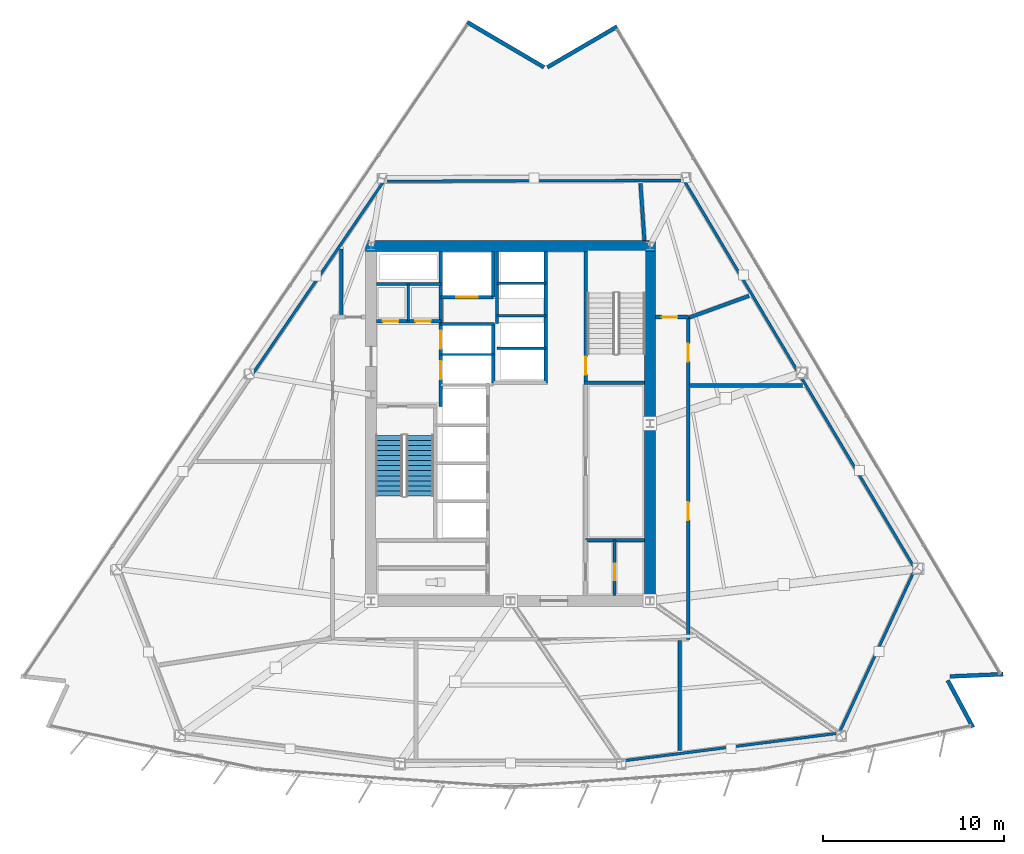
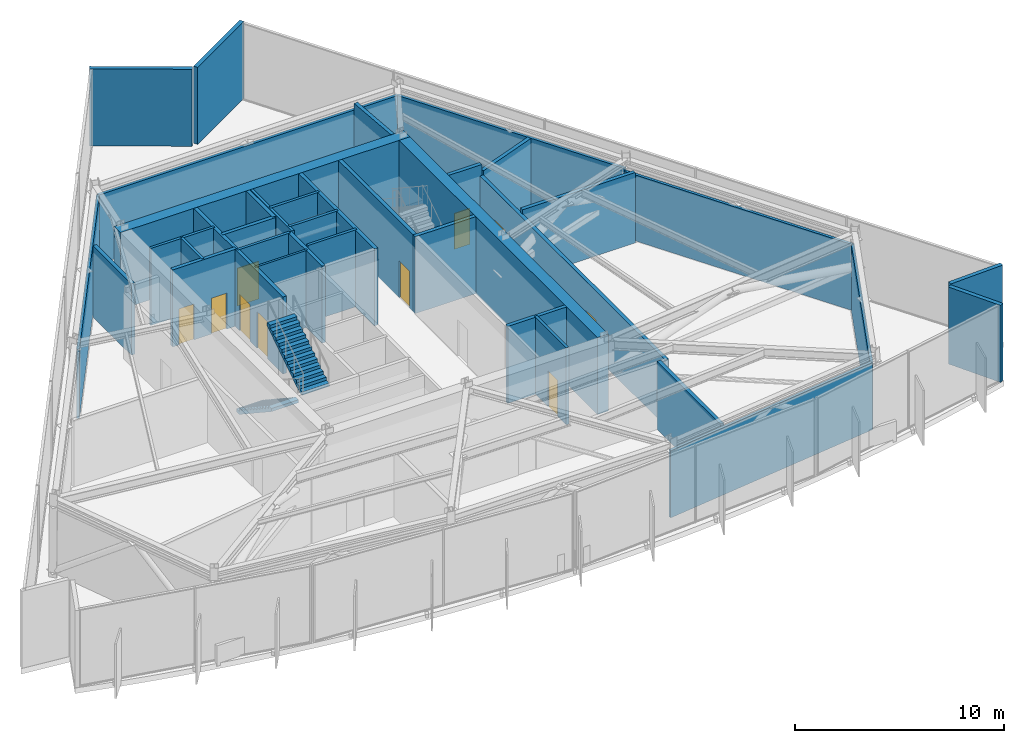
# One storey, part 9 of 14: 37 walls, 10 doors, 2 stair flights, 10 openings, 1 element without a shape of its own.
"""IFC4 building model written with IfcOpenShell, lengths in metres."""

import ifcopenshell
import ifcopenshell.guid

model = None  # the IFC model being written
_history = None  # IfcOwnerHistory: only IFC2X3 demands one
_inside = {}  # id of a spatial element -> (the spatial element, [elements in it])
_under = {}  # id of a project, library or spatial element -> (it, [spatial elements below it])
_declared = {}  # id of a project -> (the project, [libraries it declares])
_typed = {}  # id of a type object -> (the type object, [elements of that type])
_made_of = {}  # id of a material, layer set ... -> (it, [elements and type objects made of it])


def new_model(schema):
    """Start an empty IFC model of exactly this schema.

    Asked for "IFC4X3", IfcOpenShell would pick the latest addendum, in which some entities
    have other attributes; the version numbers below select the first issue.
    IFC2X3 requires an IfcOwnerHistory on every rooted entity: one is made here for all.
    """
    global model, _history
    if schema == "IFC4X3":
        model = ifcopenshell.file(schema_version=(4, 3, 0, 0))
    else:
        model = ifcopenshell.file(schema=schema)
    _inside.clear()
    _under.clear()
    _declared.clear()
    _typed.clear()
    _made_of.clear()
    _history = None
    if model.schema == "IFC2X3":
        org = make("IfcOrganization", Name="unknown")
        user = make(
            "IfcPersonAndOrganization",
            ThePerson=make("IfcPerson", FamilyName="unknown"),
            TheOrganization=org,
        )
        app = make(
            "IfcApplication",
            ApplicationDeveloper=org,
            Version="unknown",
            ApplicationFullName="unknown",
            ApplicationIdentifier="unknown",
        )
        _history = make(
            "IfcOwnerHistory",
            OwningUser=user,
            OwningApplication=app,
            ChangeAction="ADDED",
            CreationDate=0,
        )
    return model


def make(cls, **values):
    """One entity of the class cls with the attributes given. An attribute that is None is left unset."""
    return model.create_entity(
        cls, **{name: value for name, value in values.items() if value is not None}
    )


def rooted(cls, **values):
    """An entity with a GlobalId (a new one), such as an element, a storey or a relation."""
    return make(cls, GlobalId=ifcopenshell.guid.new(), OwnerHistory=_history, **values)


def si_unit(unit_type, name, prefix=None):
    """IfcSIUnit, for example si_unit("LENGTHUNIT", "METRE", prefix="MILLI")."""
    return make("IfcSIUnit", UnitType=unit_type, Prefix=prefix, Name=name)


def assignment(units):
    """IfcUnitAssignment: the units of a project."""
    return None if units is None else make("IfcUnitAssignment", Units=units)


def point(xyz):
    """IfcCartesianPoint."""
    return None if xyz is None else make("IfcCartesianPoint", Coordinates=xyz)


def direction(xyz):
    """IfcDirection."""
    return None if xyz is None else make("IfcDirection", DirectionRatios=xyz)


def frame(location, z_axis=None, x_axis=None):
    """IfcAxis2Placement3D, a coordinate frame: its origin and axes. An axis left out is left unset."""
    return make(
        "IfcAxis2Placement3D",
        Location=point(location),
        Axis=direction(z_axis),
        RefDirection=direction(x_axis),
    )


def frame_2d(location, x_axis=None):
    """IfcAxis2Placement2D, a coordinate frame in the plane: its origin and x axis."""
    return make(
        "IfcAxis2Placement2D", Location=point(location), RefDirection=direction(x_axis)
    )


def origin():
    """The frame at (0, 0, 0) with its axes left unset."""
    return frame((0.0, 0.0, 0.0))


def place(relative_to, where):
    """IfcLocalPlacement: puts the frame where relative to a parent placement (None: the world)."""
    return make(
        "IfcLocalPlacement", PlacementRelTo=relative_to, RelativePlacement=where
    )


def context(
    kind, dimensions, precision=None, world=None, true_north=None, identifier=None
):
    """IfcGeometricRepresentationContext, for example the 3D "Model" context."""
    return make(
        "IfcGeometricRepresentationContext",
        ContextIdentifier=identifier,
        ContextType=kind,
        CoordinateSpaceDimension=dimensions,
        Precision=precision,
        WorldCoordinateSystem=world,
        TrueNorth=true_north,
    )


def subcontext(parent, identifier, kind, view, scale=None):
    """IfcGeometricRepresentationSubContext, for example "Body" below "Model"."""
    return make(
        "IfcGeometricRepresentationSubContext",
        ContextIdentifier=identifier,
        ContextType=kind,
        ParentContext=parent,
        TargetScale=scale,
        TargetView=view,
    )


def project(units=None, contexts=None):
    """IfcProject with its units and contexts."""
    return rooted(
        "IfcProject",
        Name="project",
        RepresentationContexts=contexts,
        UnitsInContext=assignment(units),
    )


def spatial(cls, under=None, at=None, **own):
    """A site, building, storey or space (cls), placed at a placement, below another one or the project."""
    s = rooted(cls, ObjectPlacement=at, **own)
    if under is not None:
        _under.setdefault(under.id(), (under, []))[1].append(s)
    return s


def polyline(points):
    """IfcPolyline through the points."""
    return make("IfcPolyline", Points=[point(p) for p in points])


def profile(cls, at=None, kind="AREA", **sizes):
    """A parametric profile (cls). Its sizes go by their IFC names, for example OverallWidth=200.0."""
    return make(cls, ProfileType=kind, Position=at, **sizes)


def rectangle(**sizes):
    """IfcRectangleProfileDef."""
    return profile("IfcRectangleProfileDef", **sizes)


def outline(outer, holes=None, kind="AREA"):
    """IfcArbitraryClosedProfileDef: a profile drawn as a closed curve; with holes, ...WithVoids."""
    if holes is None:
        return make("IfcArbitraryClosedProfileDef", ProfileType=kind, OuterCurve=outer)
    return make(
        "IfcArbitraryProfileDefWithVoids",
        ProfileType=kind,
        OuterCurve=outer,
        InnerCurves=holes,
    )


def extrude(swept, where, along, depth):
    """IfcExtrudedAreaSolid: the profile swept, set in the frame where, extruded along a direction by depth."""
    return make(
        "IfcExtrudedAreaSolid",
        SweptArea=swept,
        Position=where,
        ExtrudedDirection=direction(along),
        Depth=depth,
    )


def shape(context_of_items, identifier, shape_type, items):
    """IfcShapeRepresentation: the items that make up one representation, for example the "Body"."""
    return make(
        "IfcShapeRepresentation",
        ContextOfItems=context_of_items,
        RepresentationIdentifier=identifier,
        RepresentationType=shape_type,
        Items=items,
    )


def material(Name=None, Category=None):
    """IfcMaterial."""
    return make("IfcMaterial", Name=Name, Category=Category)


def layer(
    of_material, thickness, ventilated=None, Name=None, Category=None, Priority=None
):
    """IfcMaterialLayer: one layer of a wall or slab, of a material (None: an air gap)."""
    return make(
        "IfcMaterialLayer",
        Material=of_material,
        LayerThickness=thickness,
        IsVentilated=ventilated,
        Name=Name,
        Category=Category,
        Priority=Priority,
    )


def layer_set(layers, Name=None):
    """IfcMaterialLayerSet."""
    return make("IfcMaterialLayerSet", MaterialLayers=layers, LayerSetName=Name)


def made_of(thing, what):
    """Note that an element or type object is made of a material, layer set ...; save() writes the relation."""
    if what is not None:
        _made_of.setdefault(what.id(), (what, []))[1].append(thing)
    return thing


def type_object(cls, material=None, **own):
    """A type object (cls), such as IfcWallType, which elements share."""
    return made_of(rooted(cls, **own), material)


def element(
    cls,
    number,
    at=None,
    inside=None,
    cuts=None,
    type_object=None,
    material=None,
    context=None,
    identifier="Body",
    shape_type=None,
    held_by="IfcProductDefinitionShape",
    body=None,
    shapes=None,
    **own,
):
    """One element of the class cls, such as IfcWall. Its Tag is "e" and its number.

    at: its placement. inside: the storey or other place that contains it. cuts: it is an
    opening in that element (IfcRelVoidsElement). A single representation is given by context,
    identifier, shape_type and body (its items); several are given by shapes. held_by: the class
    of the entity that holds the representations. save() writes the other relations.
    """
    e = rooted(cls, Tag="e%d" % number, ObjectPlacement=at, **own)
    if body is not None:
        shapes = [shape(context, identifier, shape_type, body)]
    if shapes is not None:
        e.Representation = make(held_by, Representations=shapes)
    if inside is not None:
        _inside.setdefault(inside.id(), (inside, []))[1].append(e)
    if cuts is not None:
        rooted(
            "IfcRelVoidsElement", RelatingBuildingElement=cuts, RelatedOpeningElement=e
        )
    if type_object is not None:
        _typed.setdefault(type_object.id(), (type_object, []))[1].append(e)
    return made_of(e, material)


def fill(opening, filler):
    """IfcRelFillsElement: the door or window that sits in an opening."""
    return rooted(
        "IfcRelFillsElement",
        RelatingOpeningElement=opening,
        RelatedBuildingElement=filler,
    )


def aggregate(whole, parts):
    """IfcRelAggregates: a whole, such as a stair, and the parts it consists of."""
    return rooted("IfcRelAggregates", RelatingObject=whole, RelatedObjects=parts)


def save(model, path):
    """Write the relations noted so far, then the file.

    IfcRelAggregates (storeys below a building ...), IfcRelContainedInSpatialStructure (elements
    in a storey), IfcRelDefinesByType, IfcRelAssociatesMaterial and IfcRelDeclares: one each for
    every whole, place, type object, material and project.
    """
    for whole, parts in _under.values():
        aggregate(whole, parts)
    for where, things in _inside.values():
        rooted(
            "IfcRelContainedInSpatialStructure",
            RelatedElements=things,
            RelatingStructure=where,
        )
    for kind, things in _typed.values():
        rooted("IfcRelDefinesByType", RelatedObjects=things, RelatingType=kind)
    for what, things in _made_of.values():
        rooted("IfcRelAssociatesMaterial", RelatedObjects=things, RelatingMaterial=what)
    for by, libraries in _declared.values():
        rooted("IfcRelDeclares", RelatingContext=by, RelatedDefinitions=libraries)
    model.write(path)


model = new_model("IFC4")

# Units and contexts
model_context = context("Model", 3, precision=1e-05, world=origin(), true_north=direction((0.0, 1.0)))
body_context = subcontext(model_context, "Body", "Model", "MODEL_VIEW")
ifc_project = project(units=[si_unit("LENGTHUNIT", "METRE"), si_unit("AREAUNIT", "SQUARE_METRE"), si_unit("VOLUMEUNIT", "CUBIC_METRE"), si_unit("PLANEANGLEUNIT", "RADIAN"), si_unit("MASSUNIT", "GRAM", prefix="KILO")], contexts=[model_context])

# Site, building, storey
site_placement = place(None, origin())
site = spatial("IfcSite", under=ifc_project, at=site_placement, CompositionType="ELEMENT")
building_placement = place(site_placement, origin())
building = spatial("IfcBuilding", under=site, at=building_placement, Name="Savorim Split Tower", CompositionType="ELEMENT")
storey_placement = place(building_placement, frame((0.0, 0.0, 129.300048828125)))
storey = spatial("IfcBuildingStorey", under=building, at=storey_placement, Name="L34", CompositionType="ELEMENT", Elevation=129.300048828125)

# Walls
ifc_material_1 = material(Name="Concrete C60/75", Category="concrete")
ifc_layer_1 = layer(ifc_material_1, 0.60009765625)
ifc_layer_set_1 = layer_set([ifc_layer_1], Name="WAL-COR-SH600")
wall_type_1 = type_object("IfcWallType", Name="WAL-COR-SH600", PredefinedType="SHEAR", material=ifc_layer_set_1)
wall_1_placement = place(storey_placement, frame((8.0, 10.199951171875, 0.0), z_axis=(0.0, 0.0, 1.0), x_axis=(-1.0, 0.0, 0.0)))
element("IfcWall", 1, at=wall_1_placement, inside=storey, type_object=wall_type_1, Name="L34 Offset Core North Shear Wall", PredefinedType="SHEAR", context=body_context, shape_type="SweptSolid", body=[
    extrude(rectangle(XDim=16.0, YDim=0.60009765625, at=frame_2d((8.0, 0.0))), origin(), (0.0, 0.0, 1.0), 4.5),
])
wall_2_placement = place(storey_placement, frame((7.699951171875, 9.89990234375, 0.0), z_axis=(0.0, 0.0, 1.0), x_axis=(0.0, -1.0, 0.0)))
element("IfcWall", 2, at=wall_2_placement, inside=storey, type_object=wall_type_1, Name="L34 Offset Core East Shear Wall", PredefinedType="SHEAR", context=body_context, shape_type="SweptSolid", body=[
    extrude(rectangle(XDim=19.0, YDim=0.60009765625, at=frame_2d((9.5, 0.0))), origin(), (0.0, 0.0, 1.0), 4.5),
])
ifc_material_2 = material(Name="Precast concrete C40/50", Category="concrete")
ifc_layer_2 = layer(ifc_material_2, 0.219970703125)
ifc_layer_set_2 = layer_set([ifc_layer_2], Name="WAL-EXT-CRN220")
wall_type_2 = type_object("IfcWallType", Name="WAL-EXT-CRN220", PredefinedType="SOLIDWALL", material=ifc_layer_set_2)
wall_3_placement = place(storey_placement, frame((24.15478515625, -13.789794921875, 0.0), z_axis=(0.0, 0.0, 1.0), x_axis=(0.472795751791, -0.881172047383, 0.0)))
element("IfcWall", 3, at=wall_3_placement, inside=storey, type_object=wall_type_2, Name="L34 Notched Corner Facade Wall SE1", PredefinedType="SOLIDWALL", context=body_context, shape_type="SweptSolid", body=[
    extrude(rectangle(XDim=2.948486328125, YDim=0.219970703125, at=frame_2d((1.47412109375, 0.0))), origin(), (0.0, 0.0, 1.0), 4.5),
])
wall_4_placement = place(storey_placement, frame((27.219482421875, -13.450927734375, 0.0), z_axis=(0.0, 0.0, 1.0), x_axis=(-0.999095615947, -0.042519997593, 0.0)))
element("IfcWall", 4, at=wall_4_placement, inside=storey, type_object=wall_type_2, Name="L34 Notched Corner Facade Wall SE", PredefinedType="SOLIDWALL", context=body_context, shape_type="SweptSolid", body=[
    extrude(rectangle(XDim=2.945556640625, YDim=0.219970703125, at=frame_2d((1.47265625, 0.0))), origin(), (0.0, 0.0, 1.0), 4.5),
])
wall_5_placement = place(storey_placement, frame((2.03857421875, 20.079345703125, 0.0), z_axis=(0.0, 0.0, 1.0), x_axis=(0.86398603623, 0.503515768571, 0.0)))
element("IfcWall", 5, at=wall_5_placement, inside=storey, type_object=wall_type_2, Name="L34 Notched Corner Facade Wall NE1", PredefinedType="SOLIDWALL", context=body_context, shape_type="SweptSolid", body=[
    extrude(rectangle(XDim=4.4443359375, YDim=0.219970703125, at=frame_2d((2.22216796875, 0.0))), origin(), (0.0, 0.0, 1.0), 4.5),
])
wall_6_placement = place(storey_placement, frame((-2.384521484375, 22.5673828125, 0.0), z_axis=(0.0, 0.0, 1.0), x_axis=(0.8621258938, -0.506694131839, 0.0)))
element("IfcWall", 6, at=wall_6_placement, inside=storey, type_object=wall_type_2, Name="L34 Notched Corner Facade Wall N", PredefinedType="SOLIDWALL", context=body_context, shape_type="SweptSolid", body=[
    extrude(rectangle(XDim=4.909912109375, YDim=0.219970703125, at=frame_2d((2.455078125, 0.0))), origin(), (0.0, 0.0, 1.0), 4.5),
])

# Wall, openings, doors
ifc_material_3 = material(Name="Concrete C50/60", Category="concrete")
ifc_layer_3 = layer(ifc_material_3, 0.199951171875)
ifc_layer_set_3 = layer_set([ifc_layer_3], Name="WAL-INT-RC200")
wall_type_3 = type_object("IfcWallType", Name="WAL-INT-RC200", PredefinedType="SOLIDWALL", material=ifc_layer_set_3)
wall_7_placement = place(storey_placement, frame((-3.85009765625, 1.35009765625, 0.0), z_axis=(0.0, 0.0, 1.0), x_axis=(0.0, 1.0, 0.0)))
wall_7 = element("IfcWall", 7, at=wall_7_placement, inside=storey, type_object=wall_type_3, Name="L34 Partition W-L34-CR03", PredefinedType="SOLIDWALL", context=body_context, shape_type="SweptSolid", body=[
    extrude(rectangle(XDim=8.544921875, YDim=0.199951171875, at=frame_2d((4.2724609375, 0.0))), origin(), (0.0, 0.0, 1.0), 4.5),
])
opening_1_placement = place(wall_7_placement, frame((1.5, 0.0, 0.0)))
opening_1 = element("IfcOpeningElement", 8, at=opening_1_placement, cuts=wall_7, Name="Opening LD-FFL", PredefinedType="OPENING", context=body_context, shape_type="SweptSolid", body=[
    extrude(rectangle(XDim=1.0, YDim=2.14990234375, at=frame_2d((0.5, 1.074951171875))), frame((0.0, 0.10986328125, 0.0), z_axis=(0.0, -1.0, 0.0), x_axis=(1.0, 0.0, 0.0)), (0.0, 0.0, 1.0), 0.219970703125),
])
opening_2_placement = place(wall_7_placement, frame((3.179931640625, 0.0, 0.0)))
opening_2 = element("IfcOpeningElement", 9, at=opening_2_placement, cuts=wall_7, Name="Opening LD-FFL", PredefinedType="OPENING", context=body_context, shape_type="SweptSolid", body=[
    extrude(rectangle(XDim=1.0, YDim=2.14990234375, at=frame_2d((0.5, 1.074951171875))), frame((0.0, 0.10986328125, 0.0), z_axis=(0.0, -1.0, 0.0), x_axis=(1.0, 0.0, 0.0)), (0.0, 0.0, 1.0), 0.219970703125),
])
ifc_material_4 = material(Name="Charcoal Anodised Aluminium", Category="aluminium")
door_type_1 = type_object("IfcDoorType", Name="DOR-SLD-LD1000", OperationType="NOTDEFINED", PredefinedType="DOOR", material=ifc_material_4)
door_1_placement = place(opening_1_placement, origin())
door_1 = element("IfcDoor", 10, at=door_1_placement, inside=storey, type_object=door_type_1, Name="DR-L34-LD-FFL1 - L34 Firefighting Lift FFL-1 Sliding Landing Door", OperationType="DOUBLE_DOOR_SLIDING", OverallHeight=2.14990234375, OverallWidth=1.0, PredefinedType="DOOR", context=body_context, shape_type="SweptSolid", body=[
    extrude(rectangle(XDim=1.0, YDim=2.14990234375, at=frame_2d((0.5, 1.074951171875))), frame((0.0, 0.02490234375, 0.0), z_axis=(0.0, -1.0, 0.0), x_axis=(1.0, 0.0, 0.0)), (0.0, 0.0, 1.0), 0.050048828125),
])
fill(opening_1, door_1)
door_2_placement = place(opening_2_placement, origin())
door_2 = element("IfcDoor", 11, at=door_2_placement, inside=storey, type_object=door_type_1, Name="DR-L34-LD-FFL2 - L34 Firefighting Lift FFL-2 Sliding Landing Door", OperationType="DOUBLE_DOOR_SLIDING", OverallHeight=2.14990234375, OverallWidth=1.0, PredefinedType="DOOR", context=body_context, shape_type="SweptSolid", body=[
    extrude(rectangle(XDim=1.0, YDim=2.14990234375, at=frame_2d((0.5, 1.074951171875))), frame((0.0, 0.02490234375, 0.0), z_axis=(0.0, -1.0, 0.0), x_axis=(1.0, 0.0, 0.0)), (0.0, 0.0, 1.0), 0.050048828125),
])
fill(opening_2, door_2)

wall_8_placement = place(storey_placement, frame((-7.39501953125, 6.050048828125, 0.0), z_axis=(0.0, 0.0, 1.0), x_axis=(1.0, 0.0, 0.0)))
wall_8 = element("IfcWall", 12, at=wall_8_placement, inside=storey, type_object=wall_type_3, Name="L34 Partition W-L34-CR04", PredefinedType="SOLIDWALL", context=body_context, shape_type="SweptSolid", body=[
    extrude(rectangle(XDim=3.544921875, YDim=0.199951171875, at=frame_2d((1.7724609375, 0.0))), origin(), (0.0, 0.0, 1.0), 4.5),
])
opening_3_placement = place(wall_8_placement, frame((0.344970703125, 0.0, 0.0)))
opening_3 = element("IfcOpeningElement", 13, at=opening_3_placement, cuts=wall_8, Name="Opening DI-12", PredefinedType="OPENING", context=body_context, shape_type="SweptSolid", body=[
    extrude(rectangle(XDim=0.85009765625, YDim=2.10009765625, at=frame_2d((0.425048828125, 1.050048828125))), frame((0.0, 0.10986328125, 0.0), z_axis=(0.0, -1.0, 0.0), x_axis=(1.0, 0.0, 0.0)), (0.0, 0.0, 1.0), 0.219970703125),
])
opening_4_placement = place(wall_8_placement, frame((2.14501953125, 0.0, 0.0)))
opening_4 = element("IfcOpeningElement", 14, at=opening_4_placement, cuts=wall_8, Name="Opening DI-12", PredefinedType="OPENING", context=body_context, shape_type="SweptSolid", body=[
    extrude(rectangle(XDim=0.85009765625, YDim=2.10009765625, at=frame_2d((0.425048828125, 1.050048828125))), frame((0.0, 0.10986328125, 0.0), z_axis=(0.0, -1.0, 0.0), x_axis=(1.0, 0.0, 0.0)), (0.0, 0.0, 1.0), 0.219970703125),
])
ifc_material_5 = material(Name="Galvanised Painted Steel Balustrade", Category="steel")
door_type_2 = type_object("IfcDoorType", Name="DOR-RIS-850", OperationType="NOTDEFINED", PredefinedType="DOOR", material=ifc_material_5)
door_3_placement = place(opening_3_placement, origin())
door_3 = element("IfcDoor", 15, at=door_3_placement, inside=storey, type_object=door_type_2, Name="DR-L34-ELR - L34 Electrical Riser Access Door", OperationType="SINGLE_SWING_RIGHT", OverallHeight=2.10009765625, OverallWidth=0.85009765625, PredefinedType="DOOR", context=body_context, shape_type="SweptSolid", body=[
    extrude(rectangle(XDim=0.85009765625, YDim=2.10009765625, at=frame_2d((0.425048828125, 1.050048828125))), frame((0.0, 0.02490234375, 0.0), z_axis=(0.0, -1.0, 0.0), x_axis=(1.0, 0.0, 0.0)), (0.0, 0.0, 1.0), 0.050048828125),
])
fill(opening_3, door_3)
door_4_placement = place(opening_4_placement, origin())
door_4 = element("IfcDoor", 16, at=door_4_placement, inside=storey, type_object=door_type_2, Name="DR-L34-TLR - L34 Telecom Riser Access Door", OperationType="SINGLE_SWING_LEFT", OverallHeight=2.10009765625, OverallWidth=0.85009765625, PredefinedType="DOOR", context=body_context, shape_type="SweptSolid", body=[
    extrude(rectangle(XDim=0.85009765625, YDim=2.10009765625, at=frame_2d((0.425048828125, 1.050048828125))), frame((0.0, 0.02490234375, 0.0), z_axis=(0.0, -1.0, 0.0), x_axis=(1.0, 0.0, 0.0)), (0.0, 0.0, 1.0), 0.050048828125),
])
fill(opening_4, door_4)

# Wall, opening, door
wall_9_placement = place(storey_placement, frame((4.14990234375, 2.75, 0.0), z_axis=(0.0, 0.0, 1.0), x_axis=(0.0, 1.0, 0.0)))
wall_9 = element("IfcWall", 17, at=wall_9_placement, inside=storey, type_object=wall_type_3, Name="L34 Structural Shaft Wall W-L34-CR07", PredefinedType="SOLIDWALL", context=body_context, shape_type="SweptSolid", body=[
    extrude(rectangle(XDim=7.14990234375, YDim=0.199951171875, at=frame_2d((3.574951171875, 0.0))), origin(), (0.0, 0.0, 1.0), 4.5),
])
opening_5_placement = place(wall_9_placement, frame((0.35009765625, 0.0, 0.0)))
opening_5 = element("IfcOpeningElement", 18, at=opening_5_placement, cuts=wall_9, Name="Opening DI-04", PredefinedType="OPENING", context=body_context, shape_type="SweptSolid", body=[
    extrude(rectangle(XDim=1.0, YDim=2.14990234375, at=frame_2d((0.5, 1.074951171875))), frame((0.0, 0.10986328125, 0.0), z_axis=(0.0, -1.0, 0.0), x_axis=(1.0, 0.0, 0.0)), (0.0, 0.0, 1.0), 0.219970703125),
])
ifc_material_6 = material(Name="Timber Fire Door Leaf", Category="wood")
door_type_3 = type_object("IfcDoorType", Name="DOR-FIR-1000", OperationType="NOTDEFINED", PredefinedType="DOOR", material=ifc_material_6)
door_5_placement = place(opening_5_placement, origin())
door_5 = element("IfcDoor", 19, at=door_5_placement, inside=storey, type_object=door_type_3, Name="DR-L34-ST2 - L34 Stair ST-2 Enclosure Door", OperationType="SINGLE_SWING_RIGHT", OverallHeight=2.14990234375, OverallWidth=1.0, PredefinedType="DOOR", context=body_context, shape_type="SweptSolid", body=[
    extrude(rectangle(XDim=1.0, YDim=2.14990234375, at=frame_2d((0.5, 1.074951171875))), frame((0.0, 0.02490234375, 0.0), z_axis=(0.0, -1.0, 0.0), x_axis=(1.0, 0.0, 0.0)), (0.0, 0.0, 1.0), 0.050048828125),
])
fill(opening_5, door_5)

# Walls
wall_10_placement = place(storey_placement, frame((4.050048828125, 2.64990234375, 0.0), z_axis=(0.0, 0.0, 1.0), x_axis=(1.0, 0.0, 0.0)))
element("IfcWall", 20, at=wall_10_placement, inside=storey, type_object=wall_type_3, Name="L34 Structural Shaft Wall W-L34-CR08", PredefinedType="SOLIDWALL", context=body_context, shape_type="SweptSolid", body=[
    extrude(rectangle(XDim=3.349853515625, YDim=0.199951171875, at=frame_2d((1.6748046875, 0.0))), origin(), (0.0, 0.0, 1.0), 4.5),
])
wall_11_placement = place(storey_placement, frame((-0.949951171875, 2.64990234375, 0.0), z_axis=(0.0, 0.0, 1.0), x_axis=(0.0, 1.0, 0.0)))
element("IfcWall", 21, at=wall_11_placement, inside=storey, type_object=wall_type_3, Name="L34 Partition W-L34-FFLW", PredefinedType="SOLIDWALL", context=body_context, shape_type="SweptSolid", body=[
    extrude(rectangle(XDim=3.27001953125, YDim=0.199951171875, at=frame_2d((1.635009765625, 0.0))), origin(), (0.0, 0.0, 1.0), 4.5),
])

# Wall, opening, door
wall_12_placement = place(storey_placement, frame((-3.85009765625, 7.3798828125, 0.0), z_axis=(0.0, 0.0, 1.0), x_axis=(1.0, 0.0, 0.0)))
wall_12 = element("IfcWall", 22, at=wall_12_placement, inside=storey, type_object=wall_type_3, Name="L34 Partition W-L34-SVLS", PredefinedType="SOLIDWALL", context=body_context, shape_type="SweptSolid", body=[
    extrude(rectangle(XDim=2.900146484375, YDim=0.199951171875, at=frame_2d((1.4501953125, 0.0))), origin(), (0.0, 0.0, 1.0), 4.5),
])
opening_6_placement = place(wall_12_placement, frame((0.85009765625, 0.0, 0.0)))
opening_6 = element("IfcOpeningElement", 23, at=opening_6_placement, cuts=wall_12, Name="Opening LD-SV", PredefinedType="OPENING", context=body_context, shape_type="SweptSolid", body=[
    extrude(rectangle(XDim=1.199951171875, YDim=2.199951171875, at=frame_2d((0.60009765625, 1.10009765625))), frame((0.0, 0.10986328125, 0.0), z_axis=(0.0, -1.0, 0.0), x_axis=(1.0, 0.0, 0.0)), (0.0, 0.0, 1.0), 0.219970703125),
])
door_type_4 = type_object("IfcDoorType", Name="DOR-SLD-SV1200", OperationType="NOTDEFINED", PredefinedType="DOOR", material=ifc_material_4)
door_6_placement = place(opening_6_placement, origin())
door_6 = element("IfcDoor", 24, at=door_6_placement, inside=storey, type_object=door_type_4, Name="DR-L34-LD-SVL1 - L34 Service Lift SVL-1 Sliding Landing Door", OperationType="DOUBLE_DOOR_SLIDING", OverallHeight=2.199951171875, OverallWidth=1.199951171875, PredefinedType="DOOR", context=body_context, shape_type="SweptSolid", body=[
    extrude(rectangle(XDim=1.199951171875, YDim=2.199951171875, at=frame_2d((0.60009765625, 1.10009765625))), frame((0.0, 0.02490234375, 0.0), z_axis=(0.0, -1.0, 0.0), x_axis=(1.0, 0.0, 0.0)), (0.0, 0.0, 1.0), 0.050048828125),
])
fill(opening_6, door_6)

# Walls
wall_13_placement = place(storey_placement, frame((-0.949951171875, 7.3798828125, 0.0), z_axis=(0.0, 0.0, 1.0), x_axis=(0.0, 1.0, 0.0)))
element("IfcWall", 25, at=wall_13_placement, inside=storey, type_object=wall_type_3, Name="L34 Partition W-L34-SVLE", PredefinedType="SOLIDWALL", context=body_context, shape_type="SweptSolid", body=[
    extrude(rectangle(XDim=2.51513671875, YDim=0.199951171875, at=frame_2d((1.257568359375, 0.0))), origin(), (0.0, 0.0, 1.0), 4.5),
])
wall_14_placement = place(storey_placement, frame((1.949951171875, 2.64990234375, 0.0), z_axis=(0.0, 0.0, 1.0), x_axis=(0.0, 1.0, 0.0)))
element("IfcWall", 26, at=wall_14_placement, inside=storey, type_object=wall_type_3, Name="L34 Partition W-L34-B3FRONT", PredefinedType="SOLIDWALL", context=body_context, shape_type="SweptSolid", body=[
    extrude(rectangle(XDim=7.2451171875, YDim=0.199951171875, at=frame_2d((3.62255859375, 0.0))), origin(), (0.0, 0.0, 1.0), 4.5),
])
wall_15_placement = place(storey_placement, frame((4.14990234375, -6.050048828125, 0.0), z_axis=(0.0, 0.0, 1.0), x_axis=(1.0, 0.0, 0.0)))
element("IfcWall", 27, at=wall_15_placement, inside=storey, type_object=wall_type_3, Name="L34 Partition W-L34-KSEP-E", PredefinedType="SOLIDWALL", context=body_context, shape_type="SweptSolid", body=[
    extrude(rectangle(XDim=3.2451171875, YDim=0.199951171875, at=frame_2d((1.62255859375, 0.0))), origin(), (0.0, 0.0, 1.0), 4.5),
])

# Wall, openings, doors
wall_16_placement = place(storey_placement, frame((9.830078125, -11.530029296875, 0.0), z_axis=(0.0, 0.0, 1.0), x_axis=(0.0, 1.0, 0.0)))
wall_16 = element("IfcWall", 28, at=wall_16_placement, inside=storey, type_object=wall_type_3, Name="L34 Partition W-L34-COR-E1", PredefinedType="SOLIDWALL", context=body_context, shape_type="SweptSolid", body=[
    extrude(rectangle(XDim=17.81005859375, YDim=0.199951171875, at=frame_2d((8.905029296875, 0.0))), origin(), (0.0, 0.0, 1.0), 3.85498046875),
])
opening_7_placement = place(wall_16_placement, frame((6.59130859375, 0.0, 0.0)))
opening_7 = element("IfcOpeningElement", 29, at=opening_7_placement, cuts=wall_16, Name="Opening DI-04", PredefinedType="OPENING", context=body_context, shape_type="SweptSolid", body=[
    extrude(rectangle(XDim=1.0, YDim=2.14990234375, at=frame_2d((0.5, 1.074951171875))), frame((0.0, 0.10986328125, 0.0), z_axis=(0.0, -1.0, 0.0), x_axis=(1.0, 0.0, 0.0)), (0.0, 0.0, 1.0), 0.219970703125),
])
opening_8_placement = place(wall_16_placement, frame((15.343017578125, 0.0, 0.0)))
opening_8 = element("IfcOpeningElement", 30, at=opening_8_placement, cuts=wall_16, Name="Opening DI-04", PredefinedType="OPENING", context=body_context, shape_type="SweptSolid", body=[
    extrude(rectangle(XDim=1.0, YDim=2.14990234375, at=frame_2d((0.5, 1.074951171875))), frame((0.0, 0.10986328125, 0.0), z_axis=(0.0, -1.0, 0.0), x_axis=(1.0, 0.0, 0.0)), (0.0, 0.0, 1.0), 0.219970703125),
])
door_7_placement = place(opening_7_placement, origin())
door_7 = element("IfcDoor", 31, at=door_7_placement, inside=storey, type_object=door_type_3, Name="DR-L34-RM04 - L34 Refuge Area North Entry Door", OperationType="SINGLE_SWING_LEFT", OverallHeight=2.14990234375, OverallWidth=1.0, PredefinedType="DOOR", context=body_context, shape_type="SweptSolid", body=[
    extrude(rectangle(XDim=1.0, YDim=2.14990234375, at=frame_2d((0.5, 1.074951171875))), frame((0.0, 0.02490234375, 0.0), z_axis=(0.0, -1.0, 0.0), x_axis=(1.0, 0.0, 0.0)), (0.0, 0.0, 1.0), 0.050048828125),
])
fill(opening_7, door_7)
door_8_placement = place(opening_8_placement, origin())
door_8 = element("IfcDoor", 32, at=door_8_placement, inside=storey, type_object=door_type_3, Name="DR-L34-RM05 - L34 Refuge Area North-East Entry Door", OperationType="SINGLE_SWING_RIGHT", OverallHeight=2.14990234375, OverallWidth=1.0, PredefinedType="DOOR", context=body_context, shape_type="SweptSolid", body=[
    extrude(rectangle(XDim=1.0, YDim=2.14990234375, at=frame_2d((0.5, 1.074951171875))), frame((0.0, 0.02490234375, 0.0), z_axis=(0.0, -1.0, 0.0), x_axis=(1.0, 0.0, 0.0)), (0.0, 0.0, 1.0), 0.050048828125),
])
fill(opening_8, door_8)

# Wall, opening, door
wall_17_placement = place(storey_placement, frame((8.0, 6.280029296875, 0.0), z_axis=(0.0, 0.0, 1.0), x_axis=(1.0, 0.0, 0.0)))
wall_17 = element("IfcWall", 33, at=wall_17_placement, inside=storey, type_object=wall_type_3, Name="L34 Partition W-L34-COR-EN1", PredefinedType="SOLIDWALL", context=body_context, shape_type="SweptSolid", body=[
    extrude(rectangle(XDim=1.830078125, YDim=0.199951171875, at=frame_2d((0.9150390625, 0.0))), origin(), (0.0, 0.0, 1.0), 4.5),
])
opening_9_placement = place(wall_17_placement, frame((0.364990234375, 0.0, 0.0)))
opening_9 = element("IfcOpeningElement", 34, at=opening_9_placement, cuts=wall_17, Name="Opening DI-12", PredefinedType="OPENING", context=body_context, shape_type="SweptSolid", body=[
    extrude(rectangle(XDim=0.85009765625, YDim=2.10009765625, at=frame_2d((0.425048828125, 1.050048828125))), frame((0.0, 0.10986328125, 0.0), z_axis=(0.0, -1.0, 0.0), x_axis=(1.0, 0.0, 0.0)), (0.0, 0.0, 1.0), 0.219970703125),
])
door_9_placement = place(opening_9_placement, origin())
door_9 = element("IfcDoor", 35, at=door_9_placement, inside=storey, type_object=door_type_2, Name="DR-L34-RM06 - L34 Refuge Area South-West Entry Door", OperationType="SINGLE_SWING_LEFT", OverallHeight=2.10009765625, OverallWidth=0.85009765625, PredefinedType="DOOR", context=body_context, shape_type="SweptSolid", body=[
    extrude(rectangle(XDim=0.85009765625, YDim=2.10009765625, at=frame_2d((0.425048828125, 1.050048828125))), frame((0.0, 0.02490234375, 0.0), z_axis=(0.0, -1.0, 0.0), x_axis=(1.0, 0.0, 0.0)), (0.0, 0.0, 1.0), 0.050048828125),
])
fill(opening_9, door_9)

# Walls
wall_18_placement = place(storey_placement, frame((9.351318359375, -11.590087890625, 0.0), z_axis=(0.0, 0.0, 1.0), x_axis=(0.0, -1.0, 0.0)))
element("IfcWall", 36, at=wall_18_placement, inside=storey, type_object=wall_type_3, Name="L34 Partition W-L34-PLW06", PredefinedType="SOLIDWALL", context=body_context, shape_type="SweptSolid", body=[
    extrude(rectangle(XDim=6.074462890625, YDim=0.199951171875, at=frame_2d((3.037109375, 0.0))), origin(), (0.0, 0.0, 1.0), 3.974853515625),
])
wall_19_placement = place(storey_placement, frame((9.889892578125, 2.4990234375, 0.0), z_axis=(0.0, 0.0, 1.0), x_axis=(1.0, 0.0, 0.0)))
element("IfcWall", 37, at=wall_19_placement, inside=storey, type_object=wall_type_3, Name="L34 Partition W-L34-PLW10", PredefinedType="SOLIDWALL", context=body_context, shape_type="SweptSolid", body=[
    extrude(rectangle(XDim=6.239990234375, YDim=0.199951171875, at=frame_2d((3.1201171875, 0.0))), origin(), (0.0, 0.0, 1.0), 4.114990234375),
])
wall_20_placement = place(storey_placement, frame((9.87890625, 6.25341796875, 0.0), z_axis=(0.0, 0.0, 1.0), x_axis=(0.939939302956, 0.341341627638, 0.0)))
element("IfcWall", 38, at=wall_20_placement, inside=storey, type_object=wall_type_3, Name="L34 Partition W-L34-PLW11", PredefinedType="SOLIDWALL", context=body_context, shape_type="SweptSolid", body=[
    extrude(rectangle(XDim=3.51611328125, YDim=0.199951171875, at=frame_2d((1.758056640625, 0.0))), origin(), (0.0, 0.0, 1.0), 4.114990234375),
])
wall_21_placement = place(storey_placement, frame((7.398681640625, 10.5, 0.0), z_axis=(0.0, 0.0, 1.0), x_axis=(-0.06892407576, 0.99762190823, 0.0)))
element("IfcWall", 39, at=wall_21_placement, inside=storey, type_object=wall_type_3, Name="L34 Partition W-L34-PLW14", PredefinedType="SOLIDWALL", context=body_context, shape_type="SweptSolid", body=[
    extrude(rectangle(XDim=3.15966796875, YDim=0.199951171875, at=frame_2d((1.579833984375, 0.0))), origin(), (0.0, 0.0, 1.0), 4.5),
])
wall_22_placement = place(storey_placement, frame((-9.351318359375, 6.340087890625, 0.0), z_axis=(0.0, 0.0, 1.0), x_axis=(0.0, 1.0, 0.0)))
element("IfcWall", 40, at=wall_22_placement, inside=storey, type_object=wall_type_3, Name="L34 Partition W-L34-PLW15", PredefinedType="SOLIDWALL", context=body_context, shape_type="SweptSolid", body=[
    extrude(rectangle(XDim=3.688720703125, YDim=0.199951171875, at=frame_2d((1.84423828125, 0.0))), origin(), (0.0, 0.0, 1.0), 4.175048828125),
])
ifc_material_7 = material(Name="Acoustic Gypsum Partition Board")
ifc_layer_4 = layer(ifc_material_7, 0.1201171875)
ifc_layer_set_4 = layer_set([ifc_layer_4], Name="WAL-PAR-120")
wall_type_4 = type_object("IfcWallType", Name="WAL-PAR-120", PredefinedType="PARTITIONING", material=ifc_layer_set_4)
wall_23_placement = place(storey_placement, frame((-3.85009765625, 4.219970703125, 0.0), z_axis=(0.0, 0.0, 1.0), x_axis=(1.0, 0.0, 0.0)))
element("IfcWall", 41, at=wall_23_placement, inside=storey, type_object=wall_type_4, Name="L34 Partition W-L34-FFLD1", PredefinedType="PARTITIONING", context=body_context, shape_type="SweptSolid", body=[
    extrude(rectangle(XDim=2.900146484375, YDim=0.1201171875, at=frame_2d((1.4501953125, 0.0))), origin(), (0.0, 0.0, 1.0), 4.5),
])
ifc_layer_5 = layer(ifc_material_7, 0.14990234375)
ifc_layer_set_5 = layer_set([ifc_layer_5], Name="WAL-PAR-150")
wall_type_5 = type_object("IfcWallType", Name="WAL-PAR-150", PredefinedType="PARTITIONING", material=ifc_layer_set_5)
wall_24_placement = place(storey_placement, frame((-7.39501953125, 8.10009765625, 0.0), z_axis=(0.0, 0.0, 1.0), x_axis=(1.0, 0.0, 0.0)))
element("IfcWall", 42, at=wall_24_placement, inside=storey, type_object=wall_type_5, Name="L34 Partition W-L34-CR05", PredefinedType="PARTITIONING", context=body_context, shape_type="SweptSolid", body=[
    extrude(rectangle(XDim=3.544921875, YDim=0.14990234375, at=frame_2d((1.7724609375, 0.0))), origin(), (0.0, 0.0, 1.0), 4.5),
])
wall_25_placement = place(storey_placement, frame((-5.64990234375, 6.050048828125, 0.0), z_axis=(0.0, 0.0, 1.0), x_axis=(0.0, 1.0, 0.0)))
element("IfcWall", 43, at=wall_25_placement, inside=storey, type_object=wall_type_5, Name="L34 Partition W-L34-CR06", PredefinedType="PARTITIONING", context=body_context, shape_type="SweptSolid", body=[
    extrude(rectangle(XDim=2.050048828125, YDim=0.14990234375, at=frame_2d((1.02490234375, 0.0))), origin(), (0.0, 0.0, 1.0), 4.5),
])
wall_26_placement = place(storey_placement, frame((-3.85009765625, 5.89990234375, 0.0), z_axis=(0.0, 0.0, 1.0), x_axis=(1.0, 0.0, 0.0)))
element("IfcWall", 44, at=wall_26_placement, inside=storey, type_object=wall_type_5, Name="L34 Partition W-L34-FFLD2", PredefinedType="PARTITIONING", context=body_context, shape_type="SweptSolid", body=[
    extrude(rectangle(XDim=2.900146484375, YDim=0.14990234375, at=frame_2d((1.4501953125, 0.0))), origin(), (0.0, 0.0, 1.0), 4.5),
])
wall_27_placement = place(storey_placement, frame((-0.75, 5.919921875, 0.0), z_axis=(0.0, 0.0, 1.0), x_axis=(0.0, 1.0, 0.0)))
element("IfcWall", 45, at=wall_27_placement, inside=storey, type_object=wall_type_5, Name="L34 Partition W-L34-B3WEST", PredefinedType="PARTITIONING", context=body_context, shape_type="SweptSolid", body=[
    extrude(rectangle(XDim=3.97509765625, YDim=0.14990234375, at=frame_2d((1.987548828125, 0.0))), origin(), (0.0, 0.0, 1.0), 4.5),
])
for number, where, z_axis, x_axis, name in (
    (46, (-0.75, 4.550048828125, 0.0), (0.0, 0.0, 1.0), (1.0, 0.0, 0.0), "L34 Partition W-L34-B3DIV1"),
    (47, (-0.75, 6.35009765625, 0.0), (0.0, 0.0, 1.0), (1.0, 0.0, 0.0), "L34 Partition W-L34-B3DIV2"),
    (48, (-0.75, 8.14990234375, 0.0), (0.0, 0.0, 1.0), (1.0, 0.0, 0.0), "L34 Partition W-L34-B3DIV3"),
):
    element("IfcWall", number, at=place(storey_placement, frame(where, z_axis=z_axis, x_axis=x_axis)), inside=storey, type_object=wall_type_5, Name=name, PredefinedType="PARTITIONING", context=body_context, shape_type="SweptSolid", body=[
        extrude(rectangle(XDim=2.699951171875, YDim=0.14990234375, at=frame_2d((1.35009765625, 0.0))), origin(), (0.0, 0.0, 1.0), 4.5),
    ])

# Wall, opening, door
wall_28_placement = place(storey_placement, frame((5.75, -9.094970703125, 0.0), z_axis=(0.0, 0.0, 1.0), x_axis=(0.0, 1.0, 0.0)))
wall_28 = element("IfcWall", 49, at=wall_28_placement, inside=storey, type_object=wall_type_5, Name="L34 Partition W-L34-K2E", PredefinedType="PARTITIONING", context=body_context, shape_type="SweptSolid", body=[
    extrude(rectangle(XDim=3.044921875, YDim=0.14990234375, at=frame_2d((1.5224609375, 0.0))), origin(), (0.0, 0.0, 1.0), 4.5),
])
opening_10_placement = place(wall_28_placement, frame((0.844970703125, 0.0, 0.0)))
opening_10 = element("IfcOpeningElement", 50, at=opening_10_placement, cuts=wall_28, Name="Opening DI-06", PredefinedType="OPENING", context=body_context, shape_type="SweptSolid", body=[
    extrude(rectangle(XDim=0.89990234375, YDim=2.10009765625, at=frame_2d((0.449951171875, 1.050048828125))), frame((0.0, 0.0849609375, 0.0), z_axis=(0.0, -1.0, 0.0), x_axis=(1.0, 0.0, 0.0)), (0.0, 0.0, 1.0), 0.169921875),
])
door_type_5 = type_object("IfcDoorType", Name="DOR-FIR-900", OperationType="NOTDEFINED", PredefinedType="DOOR", material=ifc_material_6)
door_10_placement = place(opening_10_placement, origin())
door_10 = element("IfcDoor", 51, at=door_10_placement, inside=storey, type_object=door_type_5, Name="DR-L34-K2REF - L34 Recycling Room Door", OperationType="SINGLE_SWING_RIGHT", OverallHeight=2.10009765625, OverallWidth=0.89990234375, PredefinedType="DOOR", context=body_context, shape_type="SweptSolid", body=[
    extrude(rectangle(XDim=0.89990234375, YDim=2.10009765625, at=frame_2d((0.449951171875, 1.050048828125))), frame((0.0, 0.02490234375, 0.0), z_axis=(0.0, -1.0, 0.0), x_axis=(1.0, 0.0, 0.0)), (0.0, 0.0, 1.0), 0.050048828125),
])
fill(opening_10, door_10)

# Walls
wall_29_placement = place(storey_placement, frame((-14.3095703125, 3.04248046875, 0.0), z_axis=(0.0, 0.0, 1.0), x_axis=(0.562466830755, 0.826819849968, 0.0)))
element("IfcWall", 52, at=wall_29_placement, inside=storey, type_object=wall_type_5, Name="L34 Partition W-L34-PBLT02", PredefinedType="PARTITIONING", context=body_context, shape_type="SweptSolid", body=[
    extrude(rectangle(XDim=12.98779296875, YDim=0.14990234375, at=frame_2d((6.493896484375, 0.0))), origin(), (0.0, 0.0, 1.0), 4.034912109375),
])
wall_30_placement = place(storey_placement, frame((-7.00439453125, 13.781005859375, 0.0), z_axis=(0.0, 0.0, 1.0), x_axis=(0.999995800217, 0.002898197411, 0.0)))
element("IfcWall", 53, at=wall_30_placement, inside=storey, type_object=wall_type_5, Name="L34 Partition W-L34-PBLT03", PredefinedType="PARTITIONING", context=body_context, shape_type="SweptSolid", body=[
    extrude(rectangle(XDim=16.594970703125, YDim=0.14990234375, at=frame_2d((8.29736328125, 0.0))), origin(), (0.0, 0.0, 1.0), 4.034912109375),
])
wall_31_placement = place(storey_placement, frame((9.590576171875, 13.8291015625, 0.0), z_axis=(0.0, 0.0, 1.0), x_axis=(0.511092184869, -0.859525903371, 0.0)))
element("IfcWall", 54, at=wall_31_placement, inside=storey, type_object=wall_type_5, Name="L34 Partition W-L34-PBLT04", PredefinedType="PARTITIONING", context=body_context, shape_type="SweptSolid", body=[
    extrude(rectangle(XDim=12.4833984375, YDim=0.14990234375, at=frame_2d((6.24169921875, 0.0))), origin(), (0.0, 0.0, 1.0), 4.034912109375),
])
wall_32_placement = place(storey_placement, frame((15.970703125, 3.099365234375, 0.0), z_axis=(0.0, 0.0, 1.0), x_axis=(0.511102713459, -0.859519642762, 0.0)))
element("IfcWall", 55, at=wall_32_placement, inside=storey, type_object=wall_type_5, Name="L34 Partition W-L34-PBLT05", PredefinedType="PARTITIONING", context=body_context, shape_type="SweptSolid", body=[
    extrude(rectangle(XDim=12.490234375, YDim=0.14990234375, at=frame_2d((6.2451171875, 0.0))), origin(), (0.0, 0.0, 1.0), 3.85498046875),
])
wall_33_placement = place(storey_placement, frame((22.3544921875, -7.63623046875, 0.0), z_axis=(0.0, 0.0, 1.0), x_axis=(-0.4197971313, -0.907617963987, 0.0)))
element("IfcWall", 56, at=wall_33_placement, inside=storey, type_object=wall_type_5, Name="L34 Partition W-L34-PBLT06", PredefinedType="PARTITIONING", context=body_context, shape_type="SweptSolid", body=[
    extrude(rectangle(XDim=9.991943359375, YDim=0.14990234375, at=frame_2d((4.99609375, 0.0))), origin(), (0.0, 0.0, 1.0), 3.85498046875),
])
wall_34_placement = place(storey_placement, frame((18.159912109375, -16.705078125, 0.0), z_axis=(0.0, 0.0, 1.0), x_axis=(-0.991860198752, -0.127331638379, 0.0)))
element("IfcWall", 57, at=wall_34_placement, inside=storey, type_object=wall_type_5, Name="L34 Partition W-L34-PBLT07", PredefinedType="PARTITIONING", context=body_context, shape_type="SweptSolid", body=[
    extrude(rectangle(XDim=12.146484375, YDim=0.14990234375, at=frame_2d((6.0732421875, 0.0))), origin(), (0.0, 0.0, 1.0), 3.925048828125),
])

# Stair, stair flights
stair_type = type_object("IfcStairType", Name="STR-DOG-4800", PredefinedType="HALF_TURN_STAIR", material=ifc_material_3)
stair_placement = place(storey_placement, origin())
stair = element("IfcStair", 58, at=stair_placement, inside=storey, type_object=stair_type, Name="L34 Core Protected Exit Stair ST-1", PredefinedType="HALF_TURN_STAIR")
stair_flight_type = type_object("IfcStairFlightType", Name="SFL-DOG-4800", PredefinedType="STRAIGHT", material=ifc_material_3)
stair_flight_1_placement = place(storey_placement, frame((-6.699951171875, -0.25, 0.0), z_axis=(0.0, 0.0, 1.0), x_axis=(0.0, -1.0, 0.0)))
stair_flight_1 = element("IfcStairFlight", 59, at=stair_flight_1_placement, type_object=stair_flight_type, Name="ST-1 flight 1", NumberOfRisers=13, NumberOfTreads=12, PredefinedType="STRAIGHT", RiserHeight=0.184615385, TreadLength=0.28, context=body_context, shape_type="SweptSolid", body=[
    extrude(outline(polyline([(0.0, 0.0), (0.0, 0.1845703125), (0.280029296875, 0.1845703125), (0.280029296875, 0.369140625), (0.56005859375, 0.369140625), (0.56005859375, 0.553955078125), (0.840087890625, 0.553955078125), (0.840087890625, 0.738525390625), (1.1201171875, 0.738525390625), (1.1201171875, 0.923095703125), (1.39990234375, 0.923095703125), (1.39990234375, 1.107666015625), (1.679931640625, 1.107666015625), (1.679931640625, 1.292236328125), (1.9599609375, 1.292236328125), (1.9599609375, 1.476806640625), (2.239990234375, 1.476806640625), (2.239990234375, 1.66162109375), (2.52001953125, 1.66162109375), (2.52001953125, 1.84619140625), (2.800048828125, 1.84619140625), (2.800048828125, 2.03076171875), (3.080078125, 2.03076171875), (3.080078125, 2.21533203125), (3.360107421875, 2.21533203125), (3.360107421875, 2.39990234375), (3.360107421875, 2.035888671875), (0.272216796875, 0.0), (0.0, 0.0)])), frame((0.0, 0.75, 0.0), z_axis=(0.0, -1.0, 0.0), x_axis=(1.0, 0.0, 0.0)), (0.0, 0.0, 1.0), 1.5),
])
stair_flight_2_placement = place(storey_placement, frame((-5.0, -3.610107421875, 2.39990234375), z_axis=(0.0, 0.0, 1.0), x_axis=(0.0, 1.0, 0.0)))
stair_flight_2 = element("IfcStairFlight", 60, at=stair_flight_2_placement, type_object=stair_flight_type, Name="ST-1 flight 2", NumberOfRisers=13, NumberOfTreads=12, PredefinedType="STRAIGHT", RiserHeight=0.184615385, TreadLength=0.28, context=body_context, shape_type="SweptSolid", body=[
    extrude(outline(polyline([(0.0, 0.0), (0.0, 0.1845703125), (0.280029296875, 0.1845703125), (0.280029296875, 0.369140625), (0.56005859375, 0.369140625), (0.56005859375, 0.553955078125), (0.840087890625, 0.553955078125), (0.840087890625, 0.738525390625), (1.1201171875, 0.738525390625), (1.1201171875, 0.923095703125), (1.39990234375, 0.923095703125), (1.39990234375, 1.107666015625), (1.679931640625, 1.107666015625), (1.679931640625, 1.292236328125), (1.9599609375, 1.292236328125), (1.9599609375, 1.476806640625), (2.239990234375, 1.476806640625), (2.239990234375, 1.66162109375), (2.52001953125, 1.66162109375), (2.52001953125, 1.84619140625), (2.800048828125, 1.84619140625), (2.800048828125, 2.03076171875), (3.080078125, 2.03076171875), (3.080078125, 2.21533203125), (3.360107421875, 2.21533203125), (3.360107421875, 2.39990234375), (3.360107421875, 2.035888671875), (0.272216796875, 0.0), (0.0, 0.0)])), frame((0.0, 0.75, 0.0), z_axis=(0.0, -1.0, 0.0), x_axis=(1.0, 0.0, 0.0)), (0.0, 0.0, 1.0), 1.5),
])
aggregate(stair, [stair_flight_1, stair_flight_2])

save(model, "model.ifc")
